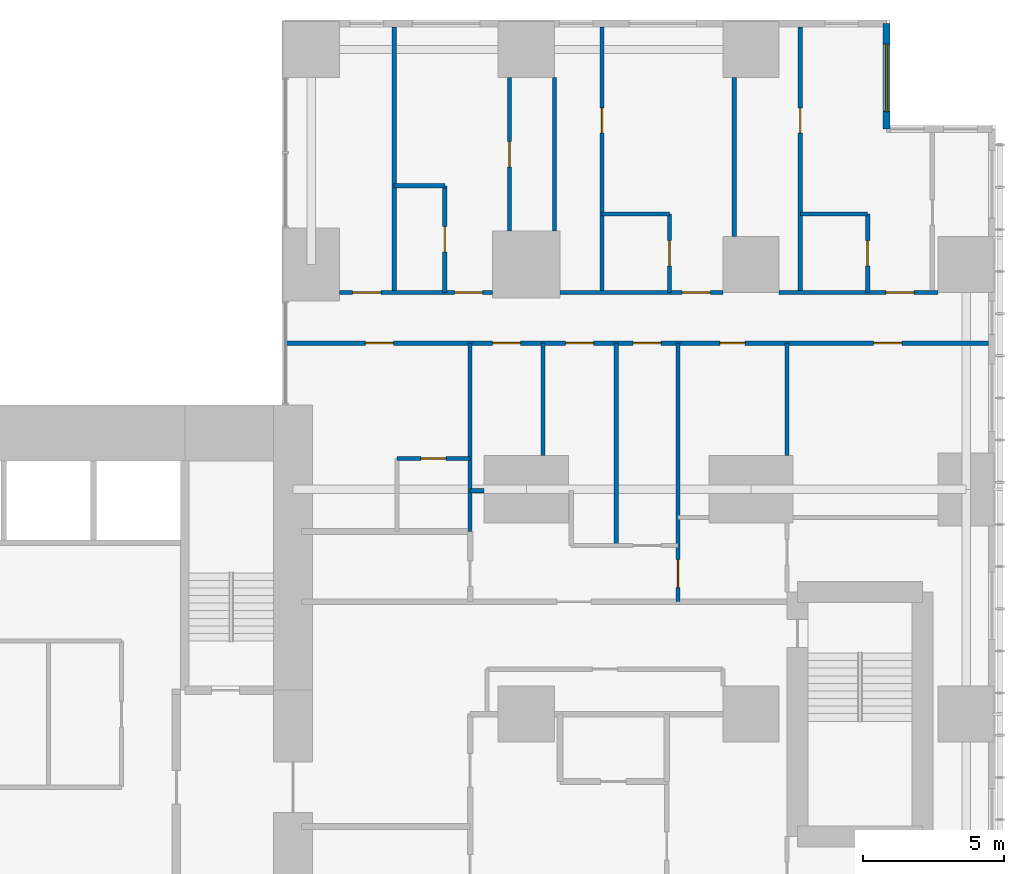
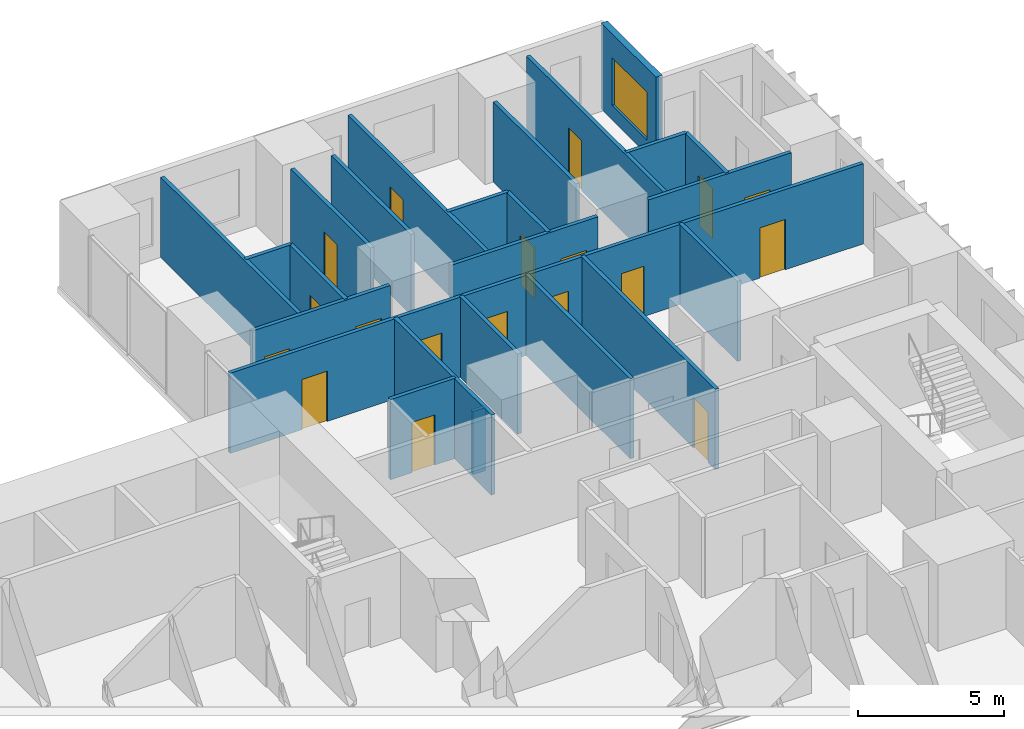
# One storey, part 18 of 21: 24 walls, 18 doors, 1 window, 19 openings.
"""IFC4 building model written with IfcOpenShell, lengths in metres."""

from ifc_helpers import new_model, si_unit, direction, frame, frame_2d, origin, place, context, subcontext, project, spatial, rectangle, extrude, material, layer, layer_set, type_object, element, fill, save


model = new_model("IFC4")

# Units and contexts
model_context = context("Model", 3, precision=1e-05, world=origin(), true_north=direction((0.0, 1.0)))
body_context = subcontext(model_context, "Body", "Model", "MODEL_VIEW")
ifc_project = project(units=[si_unit("LENGTHUNIT", "METRE"), si_unit("AREAUNIT", "SQUARE_METRE"), si_unit("VOLUMEUNIT", "CUBIC_METRE"), si_unit("PLANEANGLEUNIT", "RADIAN"), si_unit("MASSUNIT", "GRAM", prefix="KILO")], contexts=[model_context])

# Site, building, storey
site_placement = place(None, origin())
site = spatial("IfcSite", under=ifc_project, at=site_placement, CompositionType="ELEMENT")
building_placement = place(site_placement, origin())
building = spatial("IfcBuilding", under=site, at=building_placement, Name="Cleftline Residences", CompositionType="ELEMENT")
storey_placement = place(building_placement, frame((0.0, 0.0, 65.60009765625)))
storey = spatial("IfcBuildingStorey", under=building, at=storey_placement, Name="L16", CompositionType="ELEMENT", Elevation=65.60009765625)

# Wall, opening, window
ifc_material_1 = material(Name="Rendered reinforced concrete blockwork", Category="masonry")
ifc_layer_1 = layer(ifc_material_1, 0.25)
ifc_layer_set_1 = layer_set([ifc_layer_1], Name="EXTERNAL WALL 250")
wall_type_1 = type_object("IfcWallType", Name="EXTERNAL WALL 250", PredefinedType="SOLIDWALL", material=ifc_layer_set_1)
wall_1_placement = place(storey_placement, frame((62.824951171875, 44.824951171875, 0.0), z_axis=(0.0, 0.0, 1.0), x_axis=(0.0, 1.0, 0.0)))
wall_1 = element("IfcWall", 1, at=wall_1_placement, inside=storey, type_object=wall_type_1, Name="External wall", PredefinedType="SOLIDWALL", context=body_context, shape_type="SweptSolid", body=[
    extrude(rectangle(XDim=3.75, YDim=0.25, at=frame_2d((1.875, 0.0))), origin(), (0.0, 0.0, 1.0), 3.599853515625),
])
opening_1_placement = place(wall_1_placement, frame((0.612548828125, 0.0, 0.60009765625)))
opening_1 = element("IfcOpeningElement", 2, at=opening_1_placement, cuts=wall_1, Name="Opening W6", PredefinedType="OPENING", context=body_context, shape_type="SweptSolid", body=[
    extrude(rectangle(XDim=2.39990234375, YDim=2.0, at=frame_2d((1.199951171875, 1.0))), frame((0.0, 0.135009765625, 0.0), z_axis=(0.0, -1.0, 0.0), x_axis=(1.0, 0.0, 0.0)), (0.0, 0.0, 1.0), 0.27001953125),
])
ifc_material_2 = material(Name="Aluminium frame, clear double glazing", Category="aluminium")
window_type = type_object("IfcWindowType", Name="WINDOW 2400X2000", PartitioningType="DOUBLE_PANEL_VERTICAL", PredefinedType="WINDOW", material=ifc_material_2)
window_placement = place(opening_1_placement, origin())
window = element("IfcWindow", 3, at=window_placement, inside=storey, type_object=window_type, Name="Window", OverallHeight=2.0, OverallWidth=2.39990234375, PartitioningType="SINGLE_PANEL", PredefinedType="WINDOW", context=body_context, shape_type="SweptSolid", body=[
    extrude(rectangle(XDim=2.39990234375, YDim=2.0, at=frame_2d((1.199951171875, 1.0))), frame((0.0, 0.030029296875, 0.0), z_axis=(0.0, -1.0, 0.0), x_axis=(1.0, 0.0, 0.0)), (0.0, 0.0, 1.0), 0.06005859375),
])
fill(opening_1, window)

# Wall
ifc_material_3 = material(Name="Gypsum board on steel studs", Category="steel")
ifc_layer_2 = layer(ifc_material_3, 0.14990234375)
ifc_layer_set_2 = layer_set([ifc_layer_2], Name="PARTITION 150")
wall_type_2 = type_object("IfcWallType", Name="PARTITION 150", PredefinedType="PARTITIONING", material=ifc_layer_set_2)
wall_2_placement = place(storey_placement, frame((48.0, 31.949951171875, 0.0), z_axis=(0.0, 0.0, 1.0), x_axis=(1.0, 0.0, 0.0)))
element("IfcWall", 4, at=wall_2_placement, inside=storey, type_object=wall_type_2, Name="Partition", PredefinedType="PARTITIONING", context=body_context, shape_type="SweptSolid", body=[
    extrude(rectangle(XDim=0.5, YDim=0.14990234375, at=frame_2d((0.25, 0.0))), origin(), (0.0, 0.0, 1.0), 2.6337890625),
])

# Wall, opening, door
wall_3_placement = place(storey_placement, frame((45.39990234375, 33.10009765625, 0.0), z_axis=(0.0, 0.0, 1.0), x_axis=(1.0, 0.0, 0.0)))
wall_3 = element("IfcWall", 5, at=wall_3_placement, inside=storey, type_object=wall_type_2, Name="Partition", PredefinedType="PARTITIONING", context=body_context, shape_type="SweptSolid", body=[
    extrude(rectangle(XDim=2.60009765625, YDim=0.14990234375, at=frame_2d((1.300048828125, 0.0))), origin(), (0.0, 0.0, 1.0), 3.349853515625),
])
opening_2_placement = place(wall_3_placement, frame((0.85009765625, 0.0, 0.0)))
opening_2 = element("IfcOpeningElement", 6, at=opening_2_placement, cuts=wall_3, Name="Opening D1", PredefinedType="OPENING", context=body_context, shape_type="SweptSolid", body=[
    extrude(rectangle(XDim=0.89990234375, YDim=2.10009765625, at=frame_2d((0.449951171875, 1.050048828125))), frame((0.0, 0.0849609375, 0.0), z_axis=(0.0, -1.0, 0.0), x_axis=(1.0, 0.0, 0.0)), (0.0, 0.0, 1.0), 0.169921875),
])
ifc_material_4 = material(Name="Timber veneer on solid core", Category="wood")
door_type_1 = type_object("IfcDoorType", Name="DOOR 900X2100", OperationType="SINGLE_SWING_LEFT", PredefinedType="DOOR", material=ifc_material_4)
door_1_placement = place(opening_2_placement, origin())
door_1 = element("IfcDoor", 7, at=door_1_placement, inside=storey, type_object=door_type_1, Name="Door to master bathroom", OperationType="SINGLE_SWING_LEFT", OverallHeight=2.10009765625, OverallWidth=0.89990234375, PredefinedType="DOOR", context=body_context, shape_type="SweptSolid", body=[
    extrude(rectangle(XDim=0.89990234375, YDim=2.10009765625, at=frame_2d((0.449951171875, 1.050048828125))), frame((0.0, 0.02490234375, 0.0), z_axis=(0.0, -1.0, 0.0), x_axis=(1.0, 0.0, 0.0)), (0.0, 0.0, 1.0), 0.050048828125),
])
fill(opening_2, door_1)

# Wall, openings, doors
wall_4_placement = place(storey_placement, frame((41.43896484375, 37.199951171875, 0.0), z_axis=(0.0, 0.0, 1.0), x_axis=(1.0, 0.0, 0.0)))
wall_4 = element("IfcWall", 8, at=wall_4_placement, inside=storey, type_object=wall_type_2, Name="Partition", PredefinedType="PARTITIONING", context=body_context, shape_type="SweptSolid", body=[
    extrude(rectangle(XDim=25.010986328125, YDim=0.14990234375, at=frame_2d((12.50537109375, 0.0))), origin(), (0.0, 0.0, 1.0), 3.349853515625),
])
opening_3_placement = place(wall_4_placement, frame((12.361083984375, 0.0, 0.0)))
opening_3 = element("IfcOpeningElement", 9, at=opening_3_placement, cuts=wall_4, Name="Opening D2", PredefinedType="OPENING", context=body_context, shape_type="SweptSolid", body=[
    extrude(rectangle(XDim=1.0, YDim=2.10009765625, at=frame_2d((0.5, 1.050048828125))), frame((0.0, 0.0849609375, 0.0), z_axis=(0.0, -1.0, 0.0), x_axis=(1.0, 0.0, 0.0)), (0.0, 0.0, 1.0), 0.169921875),
])
opening_4_placement = place(wall_4_placement, frame((20.923583984375, 0.0, 0.0)))
opening_4 = element("IfcOpeningElement", 10, at=opening_4_placement, cuts=wall_4, Name="Opening D2", PredefinedType="OPENING", context=body_context, shape_type="SweptSolid", body=[
    extrude(rectangle(XDim=1.0, YDim=2.10009765625, at=frame_2d((0.5, 1.050048828125))), frame((0.0, 0.0849609375, 0.0), z_axis=(0.0, -1.0, 0.0), x_axis=(1.0, 0.0, 0.0)), (0.0, 0.0, 1.0), 0.169921875),
])
opening_5_placement = place(wall_4_placement, frame((15.448486328125, 0.0, 0.0)))
opening_5 = element("IfcOpeningElement", 11, at=opening_5_placement, cuts=wall_4, Name="Opening D1", PredefinedType="OPENING", context=body_context, shape_type="SweptSolid", body=[
    extrude(rectangle(XDim=0.89990234375, YDim=2.10009765625, at=frame_2d((0.449951171875, 1.050048828125))), frame((0.0, 0.0849609375, 0.0), z_axis=(0.0, -1.0, 0.0), x_axis=(1.0, 0.0, 0.0)), (0.0, 0.0, 1.0), 0.169921875),
])
opening_6_placement = place(wall_4_placement, frame((9.9609375, 0.0, 0.0)))
opening_6 = element("IfcOpeningElement", 12, at=opening_6_placement, cuts=wall_4, Name="Opening D2", PredefinedType="OPENING", context=body_context, shape_type="SweptSolid", body=[
    extrude(rectangle(XDim=1.0, YDim=2.10009765625, at=frame_2d((0.5, 1.050048828125))), frame((0.0, 0.0849609375, 0.0), z_axis=(0.0, -1.0, 0.0), x_axis=(1.0, 0.0, 0.0)), (0.0, 0.0, 1.0), 0.169921875),
])
opening_7_placement = place(wall_4_placement, frame((7.361083984375, 0.0, 0.0)))
opening_7 = element("IfcOpeningElement", 13, at=opening_7_placement, cuts=wall_4, Name="Opening D2", PredefinedType="OPENING", context=body_context, shape_type="SweptSolid", body=[
    extrude(rectangle(XDim=1.0, YDim=2.10009765625, at=frame_2d((0.5, 1.050048828125))), frame((0.0, 0.0849609375, 0.0), z_axis=(0.0, -1.0, 0.0), x_axis=(1.0, 0.0, 0.0)), (0.0, 0.0, 1.0), 0.169921875),
])
opening_8_placement = place(wall_4_placement, frame((2.8359375, 0.0, 0.0)))
opening_8 = element("IfcOpeningElement", 14, at=opening_8_placement, cuts=wall_4, Name="Opening D2", PredefinedType="OPENING", context=body_context, shape_type="SweptSolid", body=[
    extrude(rectangle(XDim=1.0, YDim=2.10009765625, at=frame_2d((0.5, 1.050048828125))), frame((0.0, 0.0849609375, 0.0), z_axis=(0.0, -1.0, 0.0), x_axis=(1.0, 0.0, 0.0)), (0.0, 0.0, 1.0), 0.169921875),
])
ifc_material_5 = material(Name="Timber veneer on solid core", Category="wood")
door_type_2 = type_object("IfcDoorType", Name="DOOR 1000X2100", OperationType="SINGLE_SWING_LEFT", PredefinedType="DOOR", material=ifc_material_5)
door_2_placement = place(opening_3_placement, origin())
door_2 = element("IfcDoor", 15, at=door_2_placement, inside=storey, type_object=door_type_2, Name="Door to residence hall", OperationType="SINGLE_SWING_LEFT", OverallHeight=2.10009765625, OverallWidth=1.0, PredefinedType="DOOR", context=body_context, shape_type="SweptSolid", body=[
    extrude(rectangle(XDim=1.0, YDim=2.10009765625, at=frame_2d((0.5, 1.050048828125))), frame((0.0, 0.02490234375, 0.0), z_axis=(0.0, -1.0, 0.0), x_axis=(1.0, 0.0, 0.0)), (0.0, 0.0, 1.0), 0.050048828125),
])
fill(opening_3, door_2)
door_3_placement = place(opening_4_placement, origin())
door_3 = element("IfcDoor", 16, at=door_3_placement, inside=storey, type_object=door_type_2, Name="Door to sea-view living and dining room", OperationType="SINGLE_SWING_LEFT", OverallHeight=2.10009765625, OverallWidth=1.0, PredefinedType="DOOR", context=body_context, shape_type="SweptSolid", body=[
    extrude(rectangle(XDim=1.0, YDim=2.10009765625, at=frame_2d((0.5, 1.050048828125))), frame((0.0, 0.02490234375, 0.0), z_axis=(0.0, -1.0, 0.0), x_axis=(1.0, 0.0, 0.0)), (0.0, 0.0, 1.0), 0.050048828125),
])
fill(opening_4, door_3)
door_4_placement = place(opening_6_placement, origin())
door_4 = element("IfcDoor", 17, at=door_4_placement, inside=storey, type_object=door_type_2, Name="Door to show kitchen", OperationType="SINGLE_SWING_RIGHT", OverallHeight=2.10009765625, OverallWidth=1.0, PredefinedType="DOOR", context=body_context, shape_type="SweptSolid", body=[
    extrude(rectangle(XDim=1.0, YDim=2.10009765625, at=frame_2d((0.5, 1.050048828125))), frame((0.0, 0.02490234375, 0.0), z_axis=(0.0, -1.0, 0.0), x_axis=(1.0, 0.0, 0.0)), (0.0, 0.0, 1.0), 0.050048828125),
])
fill(opening_6, door_4)
door_5_placement = place(opening_7_placement, origin())
door_5 = element("IfcDoor", 18, at=door_5_placement, inside=storey, type_object=door_type_2, Name="Door to wet kitchen", OperationType="SINGLE_SWING_RIGHT", OverallHeight=2.10009765625, OverallWidth=1.0, PredefinedType="DOOR", context=body_context, shape_type="SweptSolid", body=[
    extrude(rectangle(XDim=1.0, YDim=2.10009765625, at=frame_2d((0.5, 1.050048828125))), frame((0.0, 0.02490234375, 0.0), z_axis=(0.0, -1.0, 0.0), x_axis=(1.0, 0.0, 0.0)), (0.0, 0.0, 1.0), 0.050048828125),
])
fill(opening_7, door_5)
door_6_placement = place(opening_8_placement, origin())
door_6 = element("IfcDoor", 19, at=door_6_placement, inside=storey, type_object=door_type_2, Name="Door to master bedroom", OperationType="SINGLE_SWING_RIGHT", OverallHeight=2.10009765625, OverallWidth=1.0, PredefinedType="DOOR", context=body_context, shape_type="SweptSolid", body=[
    extrude(rectangle(XDim=1.0, YDim=2.10009765625, at=frame_2d((0.5, 1.050048828125))), frame((0.0, 0.02490234375, 0.0), z_axis=(0.0, -1.0, 0.0), x_axis=(1.0, 0.0, 0.0)), (0.0, 0.0, 1.0), 0.050048828125),
])
fill(opening_8, door_6)
door_7_placement = place(opening_5_placement, origin())
door_7 = element("IfcDoor", 20, at=door_7_placement, inside=storey, type_object=door_type_1, Name="Door to store room", OperationType="SINGLE_SWING_LEFT", OverallHeight=2.10009765625, OverallWidth=0.89990234375, PredefinedType="DOOR", context=body_context, shape_type="SweptSolid", body=[
    extrude(rectangle(XDim=0.89990234375, YDim=2.10009765625, at=frame_2d((0.449951171875, 1.050048828125))), frame((0.0, 0.02490234375, 0.0), z_axis=(0.0, -1.0, 0.0), x_axis=(1.0, 0.0, 0.0)), (0.0, 0.0, 1.0), 0.050048828125),
])
fill(opening_5, door_7)

wall_5_placement = place(storey_placement, frame((43.35009765625, 39.0, 0.0), z_axis=(0.0, 0.0, 1.0), x_axis=(1.0, 0.0, 0.0)))
wall_5 = element("IfcWall", 21, at=wall_5_placement, inside=storey, type_object=wall_type_2, Name="Partition", PredefinedType="PARTITIONING", context=body_context, shape_type="SweptSolid", body=[
    extrude(rectangle(XDim=5.449951171875, YDim=0.14990234375, at=frame_2d((2.72509765625, 0.0))), origin(), (0.0, 0.0, 1.0), 3.349853515625),
])
opening_9_placement = place(wall_5_placement, frame((4.10009765625, 0.0, 0.0)))
opening_9 = element("IfcOpeningElement", 22, at=opening_9_placement, cuts=wall_5, Name="Opening D2", PredefinedType="OPENING", context=body_context, shape_type="SweptSolid", body=[
    extrude(rectangle(XDim=1.0, YDim=2.10009765625, at=frame_2d((0.5, 1.050048828125))), frame((0.0, 0.0849609375, 0.0), z_axis=(0.0, -1.0, 0.0), x_axis=(1.0, 0.0, 0.0)), (0.0, 0.0, 1.0), 0.169921875),
])
opening_10_placement = place(wall_5_placement, frame((0.47509765625, 0.0, 0.0)))
opening_10 = element("IfcOpeningElement", 23, at=opening_10_placement, cuts=wall_5, Name="Opening D2", PredefinedType="OPENING", context=body_context, shape_type="SweptSolid", body=[
    extrude(rectangle(XDim=1.0, YDim=2.10009765625, at=frame_2d((0.5, 1.050048828125))), frame((0.0, 0.0849609375, 0.0), z_axis=(0.0, -1.0, 0.0), x_axis=(1.0, 0.0, 0.0)), (0.0, 0.0, 1.0), 0.169921875),
])
door_8_placement = place(opening_9_placement, origin())
door_8 = element("IfcDoor", 24, at=door_8_placement, inside=storey, type_object=door_type_2, Name="Door to bedroom 4", OperationType="SINGLE_SWING_LEFT", OverallHeight=2.10009765625, OverallWidth=1.0, PredefinedType="DOOR", context=body_context, shape_type="SweptSolid", body=[
    extrude(rectangle(XDim=1.0, YDim=2.10009765625, at=frame_2d((0.5, 1.050048828125))), frame((0.0, 0.02490234375, 0.0), z_axis=(0.0, -1.0, 0.0), x_axis=(1.0, 0.0, 0.0)), (0.0, 0.0, 1.0), 0.050048828125),
])
fill(opening_9, door_8)
door_9_placement = place(opening_10_placement, origin())
door_9 = element("IfcDoor", 25, at=door_9_placement, inside=storey, type_object=door_type_2, Name="Door to family room", OperationType="SINGLE_SWING_RIGHT", OverallHeight=2.10009765625, OverallWidth=1.0, PredefinedType="DOOR", context=body_context, shape_type="SweptSolid", body=[
    extrude(rectangle(XDim=1.0, YDim=2.10009765625, at=frame_2d((0.5, 1.050048828125))), frame((0.0, 0.02490234375, 0.0), z_axis=(0.0, -1.0, 0.0), x_axis=(1.0, 0.0, 0.0)), (0.0, 0.0, 1.0), 0.050048828125),
])
fill(opening_10, door_9)

# Wall, opening, door
wall_6_placement = place(storey_placement, frame((51.199951171875, 39.0, 0.0), z_axis=(0.0, 0.0, 1.0), x_axis=(1.0, 0.0, 0.0)))
wall_6 = element("IfcWall", 26, at=wall_6_placement, inside=storey, type_object=wall_type_2, Name="Partition", PredefinedType="PARTITIONING", context=body_context, shape_type="SweptSolid", body=[
    extrude(rectangle(XDim=5.800048828125, YDim=0.14990234375, at=frame_2d((2.89990234375, 0.0))), origin(), (0.0, 0.0, 1.0), 3.349853515625),
])
opening_11_placement = place(wall_6_placement, frame((4.35009765625, 0.0, 0.0)))
opening_11 = element("IfcOpeningElement", 27, at=opening_11_placement, cuts=wall_6, Name="Opening D2", PredefinedType="OPENING", context=body_context, shape_type="SweptSolid", body=[
    extrude(rectangle(XDim=1.0, YDim=2.10009765625, at=frame_2d((0.5, 1.050048828125))), frame((0.0, 0.0849609375, 0.0), z_axis=(0.0, -1.0, 0.0), x_axis=(1.0, 0.0, 0.0)), (0.0, 0.0, 1.0), 0.169921875),
])
door_10_placement = place(opening_11_placement, origin())
door_10 = element("IfcDoor", 28, at=door_10_placement, inside=storey, type_object=door_type_2, Name="Door to bedroom 3", OperationType="SINGLE_SWING_LEFT", OverallHeight=2.10009765625, OverallWidth=1.0, PredefinedType="DOOR", context=body_context, shape_type="SweptSolid", body=[
    extrude(rectangle(XDim=1.0, YDim=2.10009765625, at=frame_2d((0.5, 1.050048828125))), frame((0.0, 0.02490234375, 0.0), z_axis=(0.0, -1.0, 0.0), x_axis=(1.0, 0.0, 0.0)), (0.0, 0.0, 1.0), 0.050048828125),
])
fill(opening_11, door_10)

wall_7_placement = place(storey_placement, frame((59.0, 39.0, 0.0), z_axis=(0.0, 0.0, 1.0), x_axis=(1.0, 0.0, 0.0)))
wall_7 = element("IfcWall", 29, at=wall_7_placement, inside=storey, type_object=wall_type_2, Name="Partition", PredefinedType="PARTITIONING", context=body_context, shape_type="SweptSolid", body=[
    extrude(rectangle(XDim=5.64990234375, YDim=0.14990234375, at=frame_2d((2.824951171875, 0.0))), origin(), (0.0, 0.0, 1.0), 3.349853515625),
])
opening_12_placement = place(wall_7_placement, frame((3.800048828125, 0.0, 0.0)))
opening_12 = element("IfcOpeningElement", 30, at=opening_12_placement, cuts=wall_7, Name="Opening D2", PredefinedType="OPENING", context=body_context, shape_type="SweptSolid", body=[
    extrude(rectangle(XDim=1.0, YDim=2.10009765625, at=frame_2d((0.5, 1.050048828125))), frame((0.0, 0.0849609375, 0.0), z_axis=(0.0, -1.0, 0.0), x_axis=(1.0, 0.0, 0.0)), (0.0, 0.0, 1.0), 0.169921875),
])
door_11_placement = place(opening_12_placement, origin())
door_11 = element("IfcDoor", 31, at=door_11_placement, inside=storey, type_object=door_type_2, Name="Door to bedroom 2", OperationType="SINGLE_SWING_LEFT", OverallHeight=2.10009765625, OverallWidth=1.0, PredefinedType="DOOR", context=body_context, shape_type="SweptSolid", body=[
    extrude(rectangle(XDim=1.0, YDim=2.10009765625, at=frame_2d((0.5, 1.050048828125))), frame((0.0, 0.02490234375, 0.0), z_axis=(0.0, -1.0, 0.0), x_axis=(1.0, 0.0, 0.0)), (0.0, 0.0, 1.0), 0.050048828125),
])
fill(opening_12, door_11)

# Walls
wall_8_placement = place(storey_placement, frame((52.699951171875, 41.800048828125, 0.0), z_axis=(0.0, 0.0, 1.0), x_axis=(1.0, 0.0, 0.0)))
element("IfcWall", 32, at=wall_8_placement, inside=storey, type_object=wall_type_2, Name="Partition", PredefinedType="PARTITIONING", context=body_context, shape_type="SweptSolid", body=[
    extrude(rectangle(XDim=2.400146484375, YDim=0.14990234375, at=frame_2d((1.2001953125, 0.0))), origin(), (0.0, 0.0, 1.0), 3.349853515625),
])
wall_9_placement = place(storey_placement, frame((59.75, 41.800048828125, 0.0), z_axis=(0.0, 0.0, 1.0), x_axis=(1.0, 0.0, 0.0)))
element("IfcWall", 33, at=wall_9_placement, inside=storey, type_object=wall_type_2, Name="Partition", PredefinedType="PARTITIONING", context=body_context, shape_type="SweptSolid", body=[
    extrude(rectangle(XDim=2.39990234375, YDim=0.14990234375, at=frame_2d((1.199951171875, 0.0))), origin(), (0.0, 0.0, 1.0), 3.349853515625),
])
wall_10_placement = place(storey_placement, frame((45.300048828125, 42.800048828125, 0.0), z_axis=(0.0, 0.0, 1.0), x_axis=(1.0, 0.0, 0.0)))
element("IfcWall", 34, at=wall_10_placement, inside=storey, type_object=wall_type_2, Name="Partition", PredefinedType="PARTITIONING", context=body_context, shape_type="SweptSolid", body=[
    extrude(rectangle(XDim=1.800048828125, YDim=0.14990234375, at=frame_2d((0.89990234375, 0.0))), origin(), (0.0, 0.0, 1.0), 3.349853515625),
])
wall_11_placement = place(storey_placement, frame((45.300048828125, 39.0, 0.0), z_axis=(0.0, 0.0, 1.0), x_axis=(0.0, 1.0, 0.0)))
element("IfcWall", 35, at=wall_11_placement, inside=storey, type_object=wall_type_2, Name="Partition", PredefinedType="PARTITIONING", context=body_context, shape_type="SweptSolid", body=[
    extrude(rectangle(XDim=9.449951171875, YDim=0.14990234375, at=frame_2d((4.72509765625, 0.0))), origin(), (0.0, 0.0, 1.0), 3.349853515625),
])

# Wall, opening, door
wall_12_placement = place(storey_placement, frame((47.10009765625, 39.0, 0.0), z_axis=(0.0, 0.0, 1.0), x_axis=(0.0, 1.0, 0.0)))
wall_12 = element("IfcWall", 36, at=wall_12_placement, inside=storey, type_object=wall_type_2, Name="Partition", PredefinedType="PARTITIONING", context=body_context, shape_type="SweptSolid", body=[
    extrude(rectangle(XDim=3.800048828125, YDim=0.14990234375, at=frame_2d((1.89990234375, 0.0))), origin(), (0.0, 0.0, 1.0), 3.349853515625),
])
opening_13_placement = place(wall_12_placement, frame((1.449951171875, 0.0, 0.0)))
opening_13 = element("IfcOpeningElement", 37, at=opening_13_placement, cuts=wall_12, Name="Opening D1", PredefinedType="OPENING", context=body_context, shape_type="SweptSolid", body=[
    extrude(rectangle(XDim=0.89990234375, YDim=2.10009765625, at=frame_2d((0.449951171875, 1.050048828125))), frame((0.0, 0.0849609375, 0.0), z_axis=(0.0, -1.0, 0.0), x_axis=(1.0, 0.0, 0.0)), (0.0, 0.0, 1.0), 0.169921875),
])
door_12_placement = place(opening_13_placement, origin())
door_12 = element("IfcDoor", 38, at=door_12_placement, inside=storey, type_object=door_type_1, Name="Door to en-suite bathroom 4", OperationType="SINGLE_SWING_LEFT", OverallHeight=2.10009765625, OverallWidth=0.89990234375, PredefinedType="DOOR", context=body_context, shape_type="SweptSolid", body=[
    extrude(rectangle(XDim=0.89990234375, YDim=2.10009765625, at=frame_2d((0.449951171875, 1.050048828125))), frame((0.0, 0.02490234375, 0.0), z_axis=(0.0, -1.0, 0.0), x_axis=(1.0, 0.0, 0.0)), (0.0, 0.0, 1.0), 0.050048828125),
])
fill(opening_13, door_12)

# Wall
wall_13_placement = place(storey_placement, frame((48.0, 30.5, 0.0), z_axis=(0.0, 0.0, 1.0), x_axis=(0.0, 1.0, 0.0)))
element("IfcWall", 39, at=wall_13_placement, inside=storey, type_object=wall_type_2, Name="Partition", PredefinedType="PARTITIONING", context=body_context, shape_type="SweptSolid", body=[
    extrude(rectangle(XDim=6.699951171875, YDim=0.14990234375, at=frame_2d((3.35009765625, 0.0))), origin(), (0.0, 0.0, 1.0), 3.349853515625),
])

# Wall, opening, door
wall_14_placement = place(storey_placement, frame((49.39990234375, 41.199951171875, 0.0), z_axis=(0.0, 0.0, 1.0), x_axis=(0.0, 1.0, 0.0)))
wall_14 = element("IfcWall", 40, at=wall_14_placement, inside=storey, type_object=wall_type_2, Name="Partition", PredefinedType="PARTITIONING", context=body_context, shape_type="SweptSolid", body=[
    extrude(rectangle(XDim=5.449951171875, YDim=0.14990234375, at=frame_2d((2.72509765625, 0.0))), origin(), (0.0, 0.0, 1.0), 3.349853515625),
])
opening_14_placement = place(wall_14_placement, frame((2.27490234375, 0.0, 0.0)))
opening_14 = element("IfcOpeningElement", 41, at=opening_14_placement, cuts=wall_14, Name="Opening D1", PredefinedType="OPENING", context=body_context, shape_type="SweptSolid", body=[
    extrude(rectangle(XDim=0.89990234375, YDim=2.10009765625, at=frame_2d((0.449951171875, 1.050048828125))), frame((0.0, 0.0849609375, 0.0), z_axis=(0.0, -1.0, 0.0), x_axis=(1.0, 0.0, 0.0)), (0.0, 0.0, 1.0), 0.169921875),
])
door_13_placement = place(opening_14_placement, origin())
door_13 = element("IfcDoor", 42, at=door_13_placement, inside=storey, type_object=door_type_1, Name="Door to walk-in wardrobe", OperationType="SINGLE_SWING_LEFT", OverallHeight=2.10009765625, OverallWidth=0.89990234375, PredefinedType="DOOR", context=body_context, shape_type="SweptSolid", body=[
    extrude(rectangle(XDim=0.89990234375, YDim=2.10009765625, at=frame_2d((0.449951171875, 1.050048828125))), frame((0.0, 0.02490234375, 0.0), z_axis=(0.0, -1.0, 0.0), x_axis=(1.0, 0.0, 0.0)), (0.0, 0.0, 1.0), 0.050048828125),
])
fill(opening_14, door_13)

# Walls
wall_15_placement = place(storey_placement, frame((50.60009765625, 33.199951171875, 0.0), z_axis=(0.0, 0.0, 1.0), x_axis=(0.0, 1.0, 0.0)))
element("IfcWall", 43, at=wall_15_placement, inside=storey, type_object=wall_type_2, Name="Partition", PredefinedType="PARTITIONING", context=body_context, shape_type="SweptSolid", body=[
    extrude(rectangle(XDim=4.0, YDim=0.14990234375, at=frame_2d((2.0, 0.0))), origin(), (0.0, 0.0, 1.0), 3.349853515625),
])
wall_16_placement = place(storey_placement, frame((51.0, 41.199951171875, 0.0), z_axis=(0.0, 0.0, 1.0), x_axis=(0.0, 1.0, 0.0)))
element("IfcWall", 44, at=wall_16_placement, inside=storey, type_object=wall_type_2, Name="Partition", PredefinedType="PARTITIONING", context=body_context, shape_type="SweptSolid", body=[
    extrude(rectangle(XDim=5.449951171875, YDim=0.14990234375, at=frame_2d((2.72509765625, 0.0))), origin(), (0.0, 0.0, 1.0), 3.349853515625),
])

# Wall, opening, door
wall_17_placement = place(storey_placement, frame((52.699951171875, 39.0, 0.0), z_axis=(0.0, 0.0, 1.0), x_axis=(0.0, 1.0, 0.0)))
wall_17 = element("IfcWall", 45, at=wall_17_placement, inside=storey, type_object=wall_type_2, Name="Partition", PredefinedType="PARTITIONING", context=body_context, shape_type="SweptSolid", body=[
    extrude(rectangle(XDim=9.449951171875, YDim=0.14990234375, at=frame_2d((4.72509765625, 0.0))), origin(), (0.0, 0.0, 1.0), 3.349853515625),
])
opening_15_placement = place(wall_17_placement, frame((5.675048828125, 0.0, 0.0)))
opening_15 = element("IfcOpeningElement", 46, at=opening_15_placement, cuts=wall_17, Name="Opening D1", PredefinedType="OPENING", context=body_context, shape_type="SweptSolid", body=[
    extrude(rectangle(XDim=0.89990234375, YDim=2.10009765625, at=frame_2d((0.449951171875, 1.050048828125))), frame((0.0, 0.0849609375, 0.0), z_axis=(0.0, -1.0, 0.0), x_axis=(1.0, 0.0, 0.0)), (0.0, 0.0, 1.0), 0.169921875),
])
door_14_placement = place(opening_15_placement, origin())
door_14 = element("IfcDoor", 47, at=door_14_placement, inside=storey, type_object=door_type_1, Name="Door to walk-in wardrobe", OperationType="SINGLE_SWING_LEFT", OverallHeight=2.10009765625, OverallWidth=0.89990234375, PredefinedType="DOOR", context=body_context, shape_type="SweptSolid", body=[
    extrude(rectangle(XDim=0.89990234375, YDim=2.10009765625, at=frame_2d((0.449951171875, 1.050048828125))), frame((0.0, 0.02490234375, 0.0), z_axis=(0.0, -1.0, 0.0), x_axis=(1.0, 0.0, 0.0)), (0.0, 0.0, 1.0), 0.050048828125),
])
fill(opening_15, door_14)

# Wall
wall_18_placement = place(storey_placement, frame((53.199951171875, 30.0, 0.0), z_axis=(0.0, 0.0, 1.0), x_axis=(0.0, 1.0, 0.0)))
element("IfcWall", 48, at=wall_18_placement, inside=storey, type_object=wall_type_2, Name="Partition", PredefinedType="PARTITIONING", context=body_context, shape_type="SweptSolid", body=[
    extrude(rectangle(XDim=7.199951171875, YDim=0.14990234375, at=frame_2d((3.60009765625, 0.0))), origin(), (0.0, 0.0, 1.0), 3.349853515625),
])

# Wall, opening, door
wall_19_placement = place(storey_placement, frame((55.10009765625, 39.0, 0.0), z_axis=(0.0, 0.0, 1.0), x_axis=(0.0, 1.0, 0.0)))
wall_19 = element("IfcWall", 49, at=wall_19_placement, inside=storey, type_object=wall_type_2, Name="Partition", PredefinedType="PARTITIONING", context=body_context, shape_type="SweptSolid", body=[
    extrude(rectangle(XDim=2.800048828125, YDim=0.14990234375, at=frame_2d((1.39990234375, 0.0))), origin(), (0.0, 0.0, 1.0), 3.349853515625),
])
opening_16_placement = place(wall_19_placement, frame((0.949951171875, 0.0, 0.0)))
opening_16 = element("IfcOpeningElement", 50, at=opening_16_placement, cuts=wall_19, Name="Opening D1", PredefinedType="OPENING", context=body_context, shape_type="SweptSolid", body=[
    extrude(rectangle(XDim=0.89990234375, YDim=2.10009765625, at=frame_2d((0.449951171875, 1.050048828125))), frame((0.0, 0.0849609375, 0.0), z_axis=(0.0, -1.0, 0.0), x_axis=(1.0, 0.0, 0.0)), (0.0, 0.0, 1.0), 0.169921875),
])
door_15_placement = place(opening_16_placement, origin())
door_15 = element("IfcDoor", 51, at=door_15_placement, inside=storey, type_object=door_type_1, Name="Door to en-suite bathroom 3", OperationType="SINGLE_SWING_LEFT", OverallHeight=2.10009765625, OverallWidth=0.89990234375, PredefinedType="DOOR", context=body_context, shape_type="SweptSolid", body=[
    extrude(rectangle(XDim=0.89990234375, YDim=2.10009765625, at=frame_2d((0.449951171875, 1.050048828125))), frame((0.0, 0.02490234375, 0.0), z_axis=(0.0, -1.0, 0.0), x_axis=(1.0, 0.0, 0.0)), (0.0, 0.0, 1.0), 0.050048828125),
])
fill(opening_16, door_15)

wall_20_placement = place(storey_placement, frame((55.39990234375, 28.0, 0.0), z_axis=(0.0, 0.0, 1.0), x_axis=(0.0, 1.0, 0.0)))
wall_20 = element("IfcWall", 52, at=wall_20_placement, inside=storey, type_object=wall_type_2, Name="Partition", PredefinedType="PARTITIONING", context=body_context, shape_type="SweptSolid", body=[
    extrude(rectangle(XDim=9.199951171875, YDim=0.14990234375, at=frame_2d((4.60009765625, 0.0))), origin(), (0.0, 0.0, 1.0), 3.349853515625),
])
opening_17_placement = place(wall_20_placement, frame((0.5, 0.0, 0.0)))
opening_17 = element("IfcOpeningElement", 53, at=opening_17_placement, cuts=wall_20, Name="Opening D2F30", PredefinedType="OPENING", context=body_context, shape_type="SweptSolid", body=[
    extrude(rectangle(XDim=1.0, YDim=2.10009765625, at=frame_2d((0.5, 1.050048828125))), frame((0.0, 0.0849609375, 0.0), z_axis=(0.0, -1.0, 0.0), x_axis=(1.0, 0.0, 0.0)), (0.0, 0.0, 1.0), 0.169921875),
])
ifc_material_6 = material(Name="Timber veneer on solid core", Category="wood")
door_type_3 = type_object("IfcDoorType", Name="DOOR 1000X2100 EI 30", OperationType="SINGLE_SWING_LEFT", PredefinedType="DOOR", material=ifc_material_6)
door_16_placement = place(opening_17_placement, origin())
door_16 = element("IfcDoor", 54, at=door_16_placement, inside=storey, type_object=door_type_3, Name="Door to residence lobby (service)", OperationType="SINGLE_SWING_RIGHT", OverallHeight=2.10009765625, OverallWidth=1.0, PredefinedType="DOOR", context=body_context, shape_type="SweptSolid", body=[
    extrude(rectangle(XDim=1.0, YDim=2.10009765625, at=frame_2d((0.5, 1.050048828125))), frame((0.0, 0.02490234375, 0.0), z_axis=(0.0, -1.0, 0.0), x_axis=(1.0, 0.0, 0.0)), (0.0, 0.0, 1.0), 0.050048828125),
])
fill(opening_17, door_16)

# Walls
wall_21_placement = place(storey_placement, frame((57.39990234375, 41.0, 0.0), z_axis=(0.0, 0.0, 1.0), x_axis=(0.0, 1.0, 0.0)))
element("IfcWall", 55, at=wall_21_placement, inside=storey, type_object=wall_type_2, Name="Partition", PredefinedType="PARTITIONING", context=body_context, shape_type="SweptSolid", body=[
    extrude(rectangle(XDim=5.64990234375, YDim=0.14990234375, at=frame_2d((2.824951171875, 0.0))), origin(), (0.0, 0.0, 1.0), 3.349853515625),
])
wall_22_placement = place(storey_placement, frame((59.27490234375, 33.199951171875, 0.0), z_axis=(0.0, 0.0, 1.0), x_axis=(0.0, 1.0, 0.0)))
element("IfcWall", 56, at=wall_22_placement, inside=storey, type_object=wall_type_2, Name="Partition", PredefinedType="PARTITIONING", context=body_context, shape_type="SweptSolid", body=[
    extrude(rectangle(XDim=4.0, YDim=0.14990234375, at=frame_2d((2.0, 0.0))), origin(), (0.0, 0.0, 1.0), 3.349853515625),
])

# Wall, opening, door
wall_23_placement = place(storey_placement, frame((59.75, 39.0, 0.0), z_axis=(0.0, 0.0, 1.0), x_axis=(0.0, 1.0, 0.0)))
wall_23 = element("IfcWall", 57, at=wall_23_placement, inside=storey, type_object=wall_type_2, Name="Partition", PredefinedType="PARTITIONING", context=body_context, shape_type="SweptSolid", body=[
    extrude(rectangle(XDim=9.449951171875, YDim=0.14990234375, at=frame_2d((4.72509765625, 0.0))), origin(), (0.0, 0.0, 1.0), 3.349853515625),
])
opening_18_placement = place(wall_23_placement, frame((5.675048828125, 0.0, 0.0)))
opening_18 = element("IfcOpeningElement", 58, at=opening_18_placement, cuts=wall_23, Name="Opening D1", PredefinedType="OPENING", context=body_context, shape_type="SweptSolid", body=[
    extrude(rectangle(XDim=0.89990234375, YDim=2.10009765625, at=frame_2d((0.449951171875, 1.050048828125))), frame((0.0, 0.0849609375, 0.0), z_axis=(0.0, -1.0, 0.0), x_axis=(1.0, 0.0, 0.0)), (0.0, 0.0, 1.0), 0.169921875),
])
door_17_placement = place(opening_18_placement, origin())
door_17 = element("IfcDoor", 59, at=door_17_placement, inside=storey, type_object=door_type_1, Name="Door to walk-in wardrobe", OperationType="SINGLE_SWING_LEFT", OverallHeight=2.10009765625, OverallWidth=0.89990234375, PredefinedType="DOOR", context=body_context, shape_type="SweptSolid", body=[
    extrude(rectangle(XDim=0.89990234375, YDim=2.10009765625, at=frame_2d((0.449951171875, 1.050048828125))), frame((0.0, 0.02490234375, 0.0), z_axis=(0.0, -1.0, 0.0), x_axis=(1.0, 0.0, 0.0)), (0.0, 0.0, 1.0), 0.050048828125),
])
fill(opening_18, door_17)

wall_24_placement = place(storey_placement, frame((62.14990234375, 39.0, 0.0), z_axis=(0.0, 0.0, 1.0), x_axis=(0.0, 1.0, 0.0)))
wall_24 = element("IfcWall", 60, at=wall_24_placement, inside=storey, type_object=wall_type_2, Name="Partition", PredefinedType="PARTITIONING", context=body_context, shape_type="SweptSolid", body=[
    extrude(rectangle(XDim=2.800048828125, YDim=0.14990234375, at=frame_2d((1.39990234375, 0.0))), origin(), (0.0, 0.0, 1.0), 3.349853515625),
])
opening_19_placement = place(wall_24_placement, frame((0.949951171875, 0.0, 0.0)))
opening_19 = element("IfcOpeningElement", 61, at=opening_19_placement, cuts=wall_24, Name="Opening D1", PredefinedType="OPENING", context=body_context, shape_type="SweptSolid", body=[
    extrude(rectangle(XDim=0.89990234375, YDim=2.10009765625, at=frame_2d((0.449951171875, 1.050048828125))), frame((0.0, 0.0849609375, 0.0), z_axis=(0.0, -1.0, 0.0), x_axis=(1.0, 0.0, 0.0)), (0.0, 0.0, 1.0), 0.169921875),
])
door_18_placement = place(opening_19_placement, origin())
door_18 = element("IfcDoor", 62, at=door_18_placement, inside=storey, type_object=door_type_1, Name="Door to en-suite bathroom 2", OperationType="SINGLE_SWING_LEFT", OverallHeight=2.10009765625, OverallWidth=0.89990234375, PredefinedType="DOOR", context=body_context, shape_type="SweptSolid", body=[
    extrude(rectangle(XDim=0.89990234375, YDim=2.10009765625, at=frame_2d((0.449951171875, 1.050048828125))), frame((0.0, 0.02490234375, 0.0), z_axis=(0.0, -1.0, 0.0), x_axis=(1.0, 0.0, 0.0)), (0.0, 0.0, 1.0), 0.050048828125),
])
fill(opening_19, door_18)

save(model, "model.ifc")
